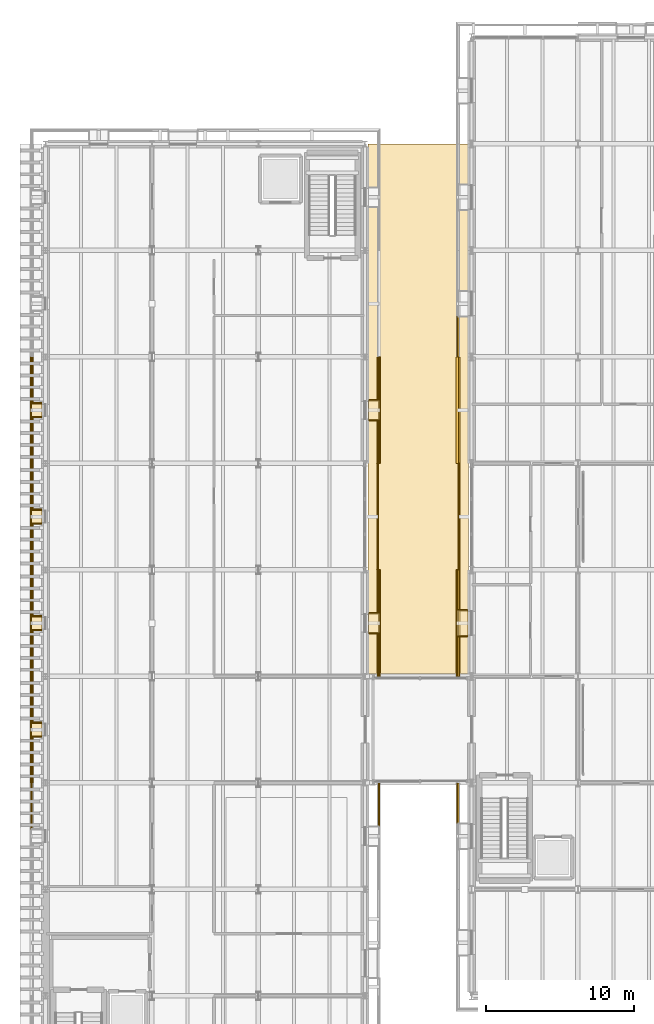
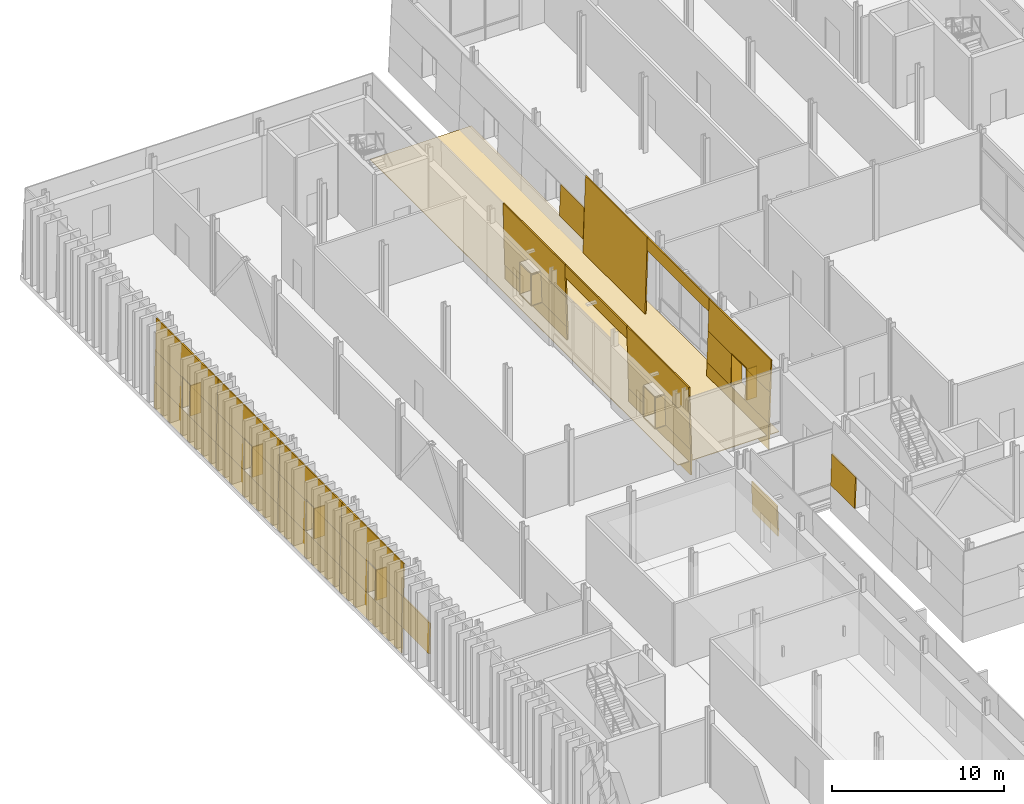
# One storey, part 107 of 120: 64 coverings.
"""IFC4 building model written with IfcOpenShell, lengths in metres."""

import ifcopenshell
import ifcopenshell.guid

model = None  # the IFC model being written
_history = None  # IfcOwnerHistory: only IFC2X3 demands one
_inside = {}  # id of a spatial element -> (the spatial element, [elements in it])
_under = {}  # id of a project, library or spatial element -> (it, [spatial elements below it])
_declared = {}  # id of a project -> (the project, [libraries it declares])
_typed = {}  # id of a type object -> (the type object, [elements of that type])
_made_of = {}  # id of a material, layer set ... -> (it, [elements and type objects made of it])


def new_model(schema):
    """Start an empty IFC model of exactly this schema.

    Asked for "IFC4X3", IfcOpenShell would pick the latest addendum, in which some entities
    have other attributes; the version numbers below select the first issue.
    IFC2X3 requires an IfcOwnerHistory on every rooted entity: one is made here for all.
    """
    global model, _history
    if schema == "IFC4X3":
        model = ifcopenshell.file(schema_version=(4, 3, 0, 0))
    else:
        model = ifcopenshell.file(schema=schema)
    _inside.clear()
    _under.clear()
    _declared.clear()
    _typed.clear()
    _made_of.clear()
    _history = None
    if model.schema == "IFC2X3":
        org = make("IfcOrganization", Name="unknown")
        user = make(
            "IfcPersonAndOrganization",
            ThePerson=make("IfcPerson", FamilyName="unknown"),
            TheOrganization=org,
        )
        app = make(
            "IfcApplication",
            ApplicationDeveloper=org,
            Version="unknown",
            ApplicationFullName="unknown",
            ApplicationIdentifier="unknown",
        )
        _history = make(
            "IfcOwnerHistory",
            OwningUser=user,
            OwningApplication=app,
            ChangeAction="ADDED",
            CreationDate=0,
        )
    return model


def make(cls, **values):
    """One entity of the class cls with the attributes given. An attribute that is None is left unset."""
    return model.create_entity(
        cls, **{name: value for name, value in values.items() if value is not None}
    )


def rooted(cls, **values):
    """An entity with a GlobalId (a new one), such as an element, a storey or a relation."""
    return make(cls, GlobalId=ifcopenshell.guid.new(), OwnerHistory=_history, **values)


def si_unit(unit_type, name, prefix=None):
    """IfcSIUnit, for example si_unit("LENGTHUNIT", "METRE", prefix="MILLI")."""
    return make("IfcSIUnit", UnitType=unit_type, Prefix=prefix, Name=name)


def assignment(units):
    """IfcUnitAssignment: the units of a project."""
    return None if units is None else make("IfcUnitAssignment", Units=units)


def point(xyz):
    """IfcCartesianPoint."""
    return None if xyz is None else make("IfcCartesianPoint", Coordinates=xyz)


def direction(xyz):
    """IfcDirection."""
    return None if xyz is None else make("IfcDirection", DirectionRatios=xyz)


def frame(location, z_axis=None, x_axis=None):
    """IfcAxis2Placement3D, a coordinate frame: its origin and axes. An axis left out is left unset."""
    return make(
        "IfcAxis2Placement3D",
        Location=point(location),
        Axis=direction(z_axis),
        RefDirection=direction(x_axis),
    )


def origin():
    """The frame at (0, 0, 0) with its axes left unset."""
    return frame((0.0, 0.0, 0.0))


def place(relative_to, where):
    """IfcLocalPlacement: puts the frame where relative to a parent placement (None: the world)."""
    return make(
        "IfcLocalPlacement", PlacementRelTo=relative_to, RelativePlacement=where
    )


def context(
    kind, dimensions, precision=None, world=None, true_north=None, identifier=None
):
    """IfcGeometricRepresentationContext, for example the 3D "Model" context."""
    return make(
        "IfcGeometricRepresentationContext",
        ContextIdentifier=identifier,
        ContextType=kind,
        CoordinateSpaceDimension=dimensions,
        Precision=precision,
        WorldCoordinateSystem=world,
        TrueNorth=true_north,
    )


def subcontext(parent, identifier, kind, view, scale=None):
    """IfcGeometricRepresentationSubContext, for example "Body" below "Model"."""
    return make(
        "IfcGeometricRepresentationSubContext",
        ContextIdentifier=identifier,
        ContextType=kind,
        ParentContext=parent,
        TargetScale=scale,
        TargetView=view,
    )


def project(units=None, contexts=None):
    """IfcProject with its units and contexts."""
    return rooted(
        "IfcProject",
        Name="project",
        RepresentationContexts=contexts,
        UnitsInContext=assignment(units),
    )


def spatial(cls, under=None, at=None, **own):
    """A site, building, storey or space (cls), placed at a placement, below another one or the project."""
    s = rooted(cls, ObjectPlacement=at, **own)
    if under is not None:
        _under.setdefault(under.id(), (under, []))[1].append(s)
    return s


def polyline(points):
    """IfcPolyline through the points."""
    return make("IfcPolyline", Points=[point(p) for p in points])


def outline(outer, holes=None, kind="AREA"):
    """IfcArbitraryClosedProfileDef: a profile drawn as a closed curve; with holes, ...WithVoids."""
    if holes is None:
        return make("IfcArbitraryClosedProfileDef", ProfileType=kind, OuterCurve=outer)
    return make(
        "IfcArbitraryProfileDefWithVoids",
        ProfileType=kind,
        OuterCurve=outer,
        InnerCurves=holes,
    )


def extrude(swept, where, along, depth):
    """IfcExtrudedAreaSolid: the profile swept, set in the frame where, extruded along a direction by depth."""
    return make(
        "IfcExtrudedAreaSolid",
        SweptArea=swept,
        Position=where,
        ExtrudedDirection=direction(along),
        Depth=depth,
    )


def shape(context_of_items, identifier, shape_type, items):
    """IfcShapeRepresentation: the items that make up one representation, for example the "Body"."""
    return make(
        "IfcShapeRepresentation",
        ContextOfItems=context_of_items,
        RepresentationIdentifier=identifier,
        RepresentationType=shape_type,
        Items=items,
    )


def material(Name=None, Category=None):
    """IfcMaterial."""
    return make("IfcMaterial", Name=Name, Category=Category)


def layer(
    of_material, thickness, ventilated=None, Name=None, Category=None, Priority=None
):
    """IfcMaterialLayer: one layer of a wall or slab, of a material (None: an air gap)."""
    return make(
        "IfcMaterialLayer",
        Material=of_material,
        LayerThickness=thickness,
        IsVentilated=ventilated,
        Name=Name,
        Category=Category,
        Priority=Priority,
    )


def layer_set(layers, Name=None):
    """IfcMaterialLayerSet."""
    return make("IfcMaterialLayerSet", MaterialLayers=layers, LayerSetName=Name)


def made_of(thing, what):
    """Note that an element or type object is made of a material, layer set ...; save() writes the relation."""
    if what is not None:
        _made_of.setdefault(what.id(), (what, []))[1].append(thing)
    return thing


def type_object(cls, material=None, **own):
    """A type object (cls), such as IfcWallType, which elements share."""
    return made_of(rooted(cls, **own), material)


def element(
    cls,
    number,
    at=None,
    inside=None,
    cuts=None,
    type_object=None,
    material=None,
    context=None,
    identifier="Body",
    shape_type=None,
    held_by="IfcProductDefinitionShape",
    body=None,
    shapes=None,
    **own,
):
    """One element of the class cls, such as IfcWall. Its Tag is "e" and its number.

    at: its placement. inside: the storey or other place that contains it. cuts: it is an
    opening in that element (IfcRelVoidsElement). A single representation is given by context,
    identifier, shape_type and body (its items); several are given by shapes. held_by: the class
    of the entity that holds the representations. save() writes the other relations.
    """
    e = rooted(cls, Tag="e%d" % number, ObjectPlacement=at, **own)
    if body is not None:
        shapes = [shape(context, identifier, shape_type, body)]
    if shapes is not None:
        e.Representation = make(held_by, Representations=shapes)
    if inside is not None:
        _inside.setdefault(inside.id(), (inside, []))[1].append(e)
    if cuts is not None:
        rooted(
            "IfcRelVoidsElement", RelatingBuildingElement=cuts, RelatedOpeningElement=e
        )
    if type_object is not None:
        _typed.setdefault(type_object.id(), (type_object, []))[1].append(e)
    return made_of(e, material)


def aggregate(whole, parts):
    """IfcRelAggregates: a whole, such as a stair, and the parts it consists of."""
    return rooted("IfcRelAggregates", RelatingObject=whole, RelatedObjects=parts)


def save(model, path):
    """Write the relations noted so far, then the file.

    IfcRelAggregates (storeys below a building ...), IfcRelContainedInSpatialStructure (elements
    in a storey), IfcRelDefinesByType, IfcRelAssociatesMaterial and IfcRelDeclares: one each for
    every whole, place, type object, material and project.
    """
    for whole, parts in _under.values():
        aggregate(whole, parts)
    for where, things in _inside.values():
        rooted(
            "IfcRelContainedInSpatialStructure",
            RelatedElements=things,
            RelatingStructure=where,
        )
    for kind, things in _typed.values():
        rooted("IfcRelDefinesByType", RelatedObjects=things, RelatingType=kind)
    for what, things in _made_of.values():
        rooted("IfcRelAssociatesMaterial", RelatedObjects=things, RelatingMaterial=what)
    for by, libraries in _declared.values():
        rooted("IfcRelDeclares", RelatingContext=by, RelatedDefinitions=libraries)
    model.write(path)


model = new_model("IFC4")

# Units and contexts
model_context = context("Model", 3, precision=1e-05, world=origin(), true_north=direction((0.0, 1.0)))
body_context = subcontext(model_context, "Body", "Model", "MODEL_VIEW")
ifc_project = project(units=[si_unit("LENGTHUNIT", "METRE"), si_unit("AREAUNIT", "SQUARE_METRE"), si_unit("VOLUMEUNIT", "CUBIC_METRE"), si_unit("PLANEANGLEUNIT", "RADIAN"), si_unit("MASSUNIT", "GRAM", prefix="KILO")], contexts=[model_context])

# Site, building, storey
site_placement = place(None, origin())
site = spatial("IfcSite", under=ifc_project, at=site_placement, CompositionType="ELEMENT")
building_placement = place(site_placement, origin())
building = spatial("IfcBuilding", under=site, at=building_placement, Name="Narikvali Park Central Library", CompositionType="ELEMENT")
storey_placement = place(building_placement, origin())
storey = spatial("IfcBuildingStorey", under=building, at=storey_placement, Name="L00", CompositionType="ELEMENT", Elevation=0.0)

# Coverings
ifc_material_1 = material(Name="White Honed Limestone Cladding", Category="masonry")
ifc_layer_1 = layer(ifc_material_1, 0.0849609375, Name="White Honed Limestone Cladding")
ifc_layer_set_1 = layer_set([ifc_layer_1], Name="White Honed Limestone Cladding")
covering_type_1 = type_object("IfcCoveringType", Name="Battered White Limestone Facade Cladding Panel", PredefinedType="CLADDING", material=ifc_layer_set_1)
covering_1_placement = place(storey_placement, frame((27.7919921875, 96.360107421875, 0.949951171875), z_axis=(-0.999431408105, 0.0, 0.033717361898), x_axis=(0.0, -1.0, 0.0)))
element("IfcCovering", 1, at=covering_1_placement, inside=storey, type_object=covering_type_1, Name="V4 L00 W Battered Limestone Jamb Pier R B03", PredefinedType="CLADDING", context=body_context, shape_type="SweptSolid", body=[
    extrude(outline(polyline([(0.0, 0.0), (2.760009765625, 0.0), (2.760009765625, 2.2012027579225295), (0.0, 2.2012027579225295), (0.0, 0.0)])), origin(), (0.0, 0.0, -1.0), 0.0849609375),
])
covering_2_placement = place(storey_placement, frame((27.760009765625, 93.60009765625, -0.8798828125), z_axis=(-0.999580820588, 0.0, 0.028951392245), x_axis=(0.0, -1.0, 0.0)))
element("IfcCovering", 2, at=covering_2_placement, inside=storey, type_object=covering_type_1, Name="V4 L00 W Battered Limestone Panel B04", PredefinedType="CLADDING", context=body_context, shape_type="SweptSolid", body=[
    extrude(outline(polyline([(0.0, 0.0), (7.2001953125, 0.0), (7.2001953125, 6.282418616792763), (0.0, 6.282418616792763), (0.0, 0.0)])), origin(), (0.0, 0.0, -1.0), 0.0849609375),
])
covering_3_placement = place(storey_placement, frame((27.91162109375, 86.39990234375, 4.5), z_axis=(-0.999434628015, 0.0, 0.033621783471), x_axis=(0.0, -1.0, 0.0)))
element("IfcCovering", 3, at=covering_3_placement, inside=storey, type_object=covering_type_1, Name="V4 L00 W Battered Limestone Spandrel Header B05", PredefinedType="CLADDING", context=body_context, shape_type="SweptSolid", body=[
    extrude(outline(polyline([(0.0, 0.0), (7.199951171875, 0.0), (7.199951171875, 0.9004114111364925), (0.0, 0.9004114111364925), (0.0, 0.0)])), origin(), (0.0, 0.0, -1.0), 0.0849609375),
])
covering_4_placement = place(storey_placement, frame((27.760009765625, 79.199951171875, -0.8798828125), z_axis=(-0.999847289173, 0.0, 0.017475649751), x_axis=(0.0, -1.0, 0.0)))
element("IfcCovering", 4, at=covering_4_placement, inside=storey, type_object=covering_type_1, Name="V4 L00 W Battered Limestone Spandrel B06", PredefinedType="CLADDING", context=body_context, shape_type="SweptSolid", body=[
    extrude(outline(polyline([(0.0, 0.0), (7.199951171875, 0.0), (7.199951171875, 1.8301134625161029), (0.0, 1.8301134625161029), (0.0, 0.0)])), origin(), (0.0, 0.0, -1.0), 0.0849609375),
])
covering_5_placement = place(storey_placement, frame((27.8662109375, 79.199951171875, 3.14990234375), z_axis=(-0.999434750598, 0.0, 0.033618139397), x_axis=(0.0, -1.0, 0.0)))
element("IfcCovering", 5, at=covering_5_placement, inside=storey, type_object=covering_type_1, Name="V4 L00 W Battered Limestone Lintel B06", PredefinedType="CLADDING", context=body_context, shape_type="SweptSolid", body=[
    extrude(outline(polyline([(0.0, 0.0), (7.199951171875, 0.0), (7.199951171875, 2.251272530450926), (0.0, 2.251272530450926), (0.0, 0.0)])), origin(), (0.0, 0.0, -1.0), 0.0849609375),
])
for number, where, z_axis, x_axis, name in (
    (6, (27.7919921875, 79.199951171875, 0.949951171875), (-0.999431408105, 0.0, 0.033717361898), (0.0, -1.0, 0.0), "V4 L00 W Battered Limestone Jamb Pier L B06"),
    (7, (27.7919921875, 74.760009765625, 0.949951171875), (-0.999431408105, 0.0, 0.033717361898), (0.0, -1.0, 0.0), "V4 L00 W Battered Limestone Jamb Pier R B06"),
    (8, (27.7919921875, 64.800048828125, 0.949951171875), (-0.999431408105, 0.0, 0.033717361898), (0.0, -1.0, 0.0), "V4 L00 W Battered Limestone Jamb Pier L B08"),
):
    element("IfcCovering", number, at=place(storey_placement, frame(where, z_axis=z_axis, x_axis=x_axis)), inside=storey, type_object=covering_type_1, Name=name, PredefinedType="CLADDING", context=body_context, shape_type="SweptSolid", body=[
        extrude(outline(polyline([(0.0, 0.0), (2.760009765625, 0.0), (2.760009765625, 2.2012027579225295), (0.0, 2.2012027579225295), (0.0, 0.0)])), origin(), (0.0, 0.0, -1.0), 0.0849609375),
    ])
covering_6_placement = place(storey_placement, frame((22.613037109375, 61.840087890625, 0.949951171875), z_axis=(0.99959734633, 0.0, 0.028375080797), x_axis=(0.0, 1.0, 0.0)))
element("IfcCovering", 9, at=covering_6_placement, inside=storey, type_object=covering_type_1, Name="V5 L00 E Battered Limestone Jamb Pier R B05", PredefinedType="CLADDING", context=body_context, shape_type="SweptSolid", body=[
    extrude(outline(polyline([(0.0, 0.0), (2.9599609375, 0.0), (2.9599609375, 2.1510125974918495), (0.0, 2.1510125974918495), (0.0, 0.0)])), origin(), (0.0, 0.0, -1.0), 0.0849609375),
])
covering_7_placement = place(storey_placement, frame((22.639892578125, 72.0, -0.8798828125), z_axis=(0.999892318289, 0.0, 0.014674870582), x_axis=(0.0, 1.0, 0.0)))
element("IfcCovering", 10, at=covering_7_placement, inside=storey, type_object=covering_type_1, Name="V5 L00 E Battered Limestone Spandrel B07", PredefinedType="CLADDING", context=body_context, shape_type="SweptSolid", body=[
    extrude(outline(polyline([(0.0, 0.0), (7.199951171875, 0.0), (7.199951171875, 1.830031045249088), (0.0, 1.830031045249088), (0.0, 0.0)])), origin(), (0.0, 0.0, -1.0), 0.0849609375),
])
covering_8_placement = place(storey_placement, frame((22.552001953125, 72.0, 3.10009765625), z_axis=(0.999598552146, 0.0, 0.028332570427), x_axis=(0.0, 1.0, 0.0)))
element("IfcCovering", 11, at=covering_8_placement, inside=storey, type_object=covering_type_1, Name="V5 L00 E Battered Limestone Lintel B07", PredefinedType="CLADDING", context=body_context, shape_type="SweptSolid", body=[
    extrude(outline(polyline([(0.0, 0.0), (7.199951171875, 0.0), (7.199951171875, 2.3007283099419555), (0.0, 2.3007283099419555), (0.0, 0.0)])), origin(), (0.0, 0.0, -1.0), 0.0849609375),
])
for number, where, z_axis, x_axis, name in (
    (12, (22.613037109375, 72.0, 0.949951171875), (0.99959734633, 0.0, 0.028375080797), (0.0, 1.0, 0.0), "V5 L00 E Battered Limestone Jamb Pier L B07"),
    (13, (22.613037109375, 76.239990234375, 0.949951171875), (0.99959734633, 0.0, 0.028375080797), (0.0, 1.0, 0.0), "V5 L00 E Battered Limestone Jamb Pier R B07"),
):
    element("IfcCovering", number, at=place(storey_placement, frame(where, z_axis=z_axis, x_axis=x_axis)), inside=storey, type_object=covering_type_1, Name=name, PredefinedType="CLADDING", context=body_context, shape_type="SweptSolid", body=[
        extrude(outline(polyline([(0.0, 0.0), (2.9599609375, 0.0), (2.9599609375, 2.1510125974918495), (0.0, 2.1510125974918495), (0.0, 0.0)])), origin(), (0.0, 0.0, -1.0), 0.0849609375),
    ])
covering_9_placement = place(storey_placement, frame((22.512939453125, 79.199951171875, 4.47998046875), z_axis=(0.999597048098, 0.0, 0.028385584965), x_axis=(0.0, 1.0, 0.0)))
element("IfcCovering", 14, at=covering_9_placement, inside=storey, type_object=covering_type_1, Name="V5 L00 E Battered Limestone Spandrel Header B08", PredefinedType="CLADDING", context=body_context, shape_type="SweptSolid", body=[
    extrude(outline(polyline([(0.0, 0.0), (7.199951171875, 0.0), (7.199951171875, 0.9202927086973738), (0.0, 0.9202927086973738), (0.0, 0.0)])), origin(), (0.0, 0.0, -1.0), 0.0849609375),
])
covering_10_placement = place(storey_placement, frame((22.639892578125, 86.39990234375, -0.8798828125), z_axis=(0.999892318289, 0.0, 0.014674870582), x_axis=(0.0, 1.0, 0.0)))
element("IfcCovering", 15, at=covering_10_placement, inside=storey, type_object=covering_type_1, Name="V5 L00 E Battered Limestone Spandrel B09", PredefinedType="CLADDING", context=body_context, shape_type="SweptSolid", body=[
    extrude(outline(polyline([(0.0, 0.0), (7.2001953125, 0.0), (7.2001953125, 1.830031045249088), (0.0, 1.830031045249088), (0.0, 0.0)])), origin(), (0.0, 0.0, -1.0), 0.0849609375),
])
covering_11_placement = place(storey_placement, frame((22.552001953125, 86.39990234375, 3.10009765625), z_axis=(0.999598552146, 0.0, 0.028332570427), x_axis=(0.0, 1.0, 0.0)))
element("IfcCovering", 16, at=covering_11_placement, inside=storey, type_object=covering_type_1, Name="V5 L00 E Battered Limestone Lintel B09", PredefinedType="CLADDING", context=body_context, shape_type="SweptSolid", body=[
    extrude(outline(polyline([(0.0, 0.0), (7.2001953125, 0.0), (7.2001953125, 2.3007283099419555), (0.0, 2.3007283099419555), (0.0, 0.0)])), origin(), (0.0, 0.0, -1.0), 0.0849609375),
])
for number, where, z_axis, x_axis, name in (
    (17, (22.613037109375, 86.39990234375, 0.949951171875), (0.99959734633, 0.0, 0.028375080797), (0.0, 1.0, 0.0), "V5 L00 E Battered Limestone Jamb Pier L B09"),
    (18, (22.613037109375, 90.639892578125, 0.949951171875), (0.99959734633, 0.0, 0.028375080797), (0.0, 1.0, 0.0), "V5 L00 E Battered Limestone Jamb Pier R B09"),
):
    element("IfcCovering", number, at=place(storey_placement, frame(where, z_axis=z_axis, x_axis=x_axis)), inside=storey, type_object=covering_type_1, Name=name, PredefinedType="CLADDING", context=body_context, shape_type="SweptSolid", body=[
        extrude(outline(polyline([(0.0, 0.0), (2.960205078125, 0.0), (2.960205078125, 2.1510125974918495), (0.0, 2.1510125974918495), (0.0, 0.0)])), origin(), (0.0, 0.0, -1.0), 0.0849609375),
    ])
covering_12_placement = place(storey_placement, frame((-1.0400390625, 93.60009765625, -0.8798828125), z_axis=(-0.999890351864, 0.0, 0.014808249374), x_axis=(0.0, -1.0, 0.0)))
element("IfcCovering", 19, at=covering_12_placement, inside=storey, type_object=covering_type_1, Name="V5 L00 W Battered Limestone Spandrel B03", PredefinedType="CLADDING", context=body_context, shape_type="SweptSolid", body=[
    extrude(outline(polyline([(0.0, 0.0), (7.2001953125, 0.0), (7.2001953125, 1.8300346442627704), (0.0, 1.8300346442627704), (0.0, 0.0)])), origin(), (0.0, 0.0, -1.0), 0.0849609375),
])
covering_13_placement = place(storey_placement, frame((-0.9521484375, 93.60009765625, 3.10009765625), z_axis=(-0.999595541243, 0.0, 0.028438599263), x_axis=(0.0, -1.0, 0.0)))
element("IfcCovering", 20, at=covering_13_placement, inside=storey, type_object=covering_type_1, Name="V5 L00 W Battered Limestone Lintel B03", PredefinedType="CLADDING", context=body_context, shape_type="SweptSolid", body=[
    extrude(outline(polyline([(0.0, 0.0), (7.2001953125, 0.0), (7.2001953125, 2.3007352400164), (0.0, 2.3007352400164), (0.0, 0.0)])), origin(), (0.0, 0.0, -1.0), 0.0849609375),
])
for number, where, z_axis, x_axis, name in (
    (21, (-1.012939453125, 93.60009765625, 0.949951171875), (-0.999600559191, 0.0, 0.028261671311), (0.0, -1.0, 0.0), "V5 L00 W Battered Limestone Jamb Pier L B03"),
    (22, (-1.012939453125, 89.56005859375, 0.949951171875), (-0.999600559191, 0.0, 0.028261671311), (0.0, -1.0, 0.0), "V5 L00 W Battered Limestone Jamb Pier R B03"),
):
    element("IfcCovering", number, at=place(storey_placement, frame(where, z_axis=z_axis, x_axis=x_axis)), inside=storey, type_object=covering_type_1, Name=name, PredefinedType="CLADDING", context=body_context, shape_type="SweptSolid", body=[
        extrude(outline(polyline([(0.0, 0.0), (3.16015625, 0.0), (3.16015625, 2.1510056838257987), (0.0, 2.1510056838257987), (0.0, 0.0)])), origin(), (0.0, 0.0, -1.0), 0.0849609375),
    ])
covering_14_placement = place(storey_placement, frame((-1.0400390625, 86.39990234375, -0.8798828125), z_axis=(-0.999890351864, 0.0, 0.014808249374), x_axis=(0.0, -1.0, 0.0)))
element("IfcCovering", 23, at=covering_14_placement, inside=storey, type_object=covering_type_1, Name="V5 L00 W Battered Limestone Spandrel B04", PredefinedType="CLADDING", context=body_context, shape_type="SweptSolid", body=[
    extrude(outline(polyline([(0.0, 0.0), (7.199951171875, 0.0), (7.199951171875, 1.8300346442627704), (0.0, 1.8300346442627704), (0.0, 0.0)])), origin(), (0.0, 0.0, -1.0), 0.0849609375),
])
covering_15_placement = place(storey_placement, frame((-0.9521484375, 86.39990234375, 3.10009765625), z_axis=(-0.999595541243, 0.0, 0.028438599263), x_axis=(0.0, -1.0, 0.0)))
element("IfcCovering", 24, at=covering_15_placement, inside=storey, type_object=covering_type_1, Name="V5 L00 W Battered Limestone Lintel B04", PredefinedType="CLADDING", context=body_context, shape_type="SweptSolid", body=[
    extrude(outline(polyline([(0.0, 0.0), (7.199951171875, 0.0), (7.199951171875, 2.3007352400164), (0.0, 2.3007352400164), (0.0, 0.0)])), origin(), (0.0, 0.0, -1.0), 0.0849609375),
])
covering_16_placement = place(storey_placement, frame((-1.012939453125, 86.39990234375, 0.949951171875), z_axis=(-0.999600559191, 0.0, 0.028261671311), x_axis=(0.0, -1.0, 0.0)))
element("IfcCovering", 25, at=covering_16_placement, inside=storey, type_object=covering_type_1, Name="V5 L00 W Battered Limestone Jamb Pier L B04", PredefinedType="CLADDING", context=body_context, shape_type="SweptSolid", body=[
    extrude(outline(polyline([(0.0, 0.0), (3.159912109375, 0.0), (3.159912109375, 2.1510056838257987), (0.0, 2.1510056838257987), (0.0, 0.0)])), origin(), (0.0, 0.0, -1.0), 0.0849609375),
])
covering_17_placement = place(storey_placement, frame((-1.012939453125, 82.360107421875, 0.949951171875), z_axis=(-0.999600559191, 0.0, 0.028261671311), x_axis=(0.0, -1.0, 0.0)))
element("IfcCovering", 26, at=covering_17_placement, inside=storey, type_object=covering_type_1, Name="V5 L00 W Battered Limestone Jamb Pier R B04", PredefinedType="CLADDING", context=body_context, shape_type="SweptSolid", body=[
    extrude(outline(polyline([(0.0, 0.0), (3.16015625, 0.0), (3.16015625, 2.1510056838257987), (0.0, 2.1510056838257987), (0.0, 0.0)])), origin(), (0.0, 0.0, -1.0), 0.0849609375),
])
covering_18_placement = place(storey_placement, frame((-1.0400390625, 79.199951171875, -0.8798828125), z_axis=(-0.999890351864, 0.0, 0.014808249374), x_axis=(0.0, -1.0, 0.0)))
element("IfcCovering", 27, at=covering_18_placement, inside=storey, type_object=covering_type_1, Name="V5 L00 W Battered Limestone Spandrel B05", PredefinedType="CLADDING", context=body_context, shape_type="SweptSolid", body=[
    extrude(outline(polyline([(0.0, 0.0), (7.199951171875, 0.0), (7.199951171875, 1.8300346442627704), (0.0, 1.8300346442627704), (0.0, 0.0)])), origin(), (0.0, 0.0, -1.0), 0.0849609375),
])
covering_19_placement = place(storey_placement, frame((-0.9521484375, 79.199951171875, 3.10009765625), z_axis=(-0.999595541243, 0.0, 0.028438599263), x_axis=(0.0, -1.0, 0.0)))
element("IfcCovering", 28, at=covering_19_placement, inside=storey, type_object=covering_type_1, Name="V5 L00 W Battered Limestone Lintel B05", PredefinedType="CLADDING", context=body_context, shape_type="SweptSolid", body=[
    extrude(outline(polyline([(0.0, 0.0), (7.199951171875, 0.0), (7.199951171875, 2.3007352400164), (0.0, 2.3007352400164), (0.0, 0.0)])), origin(), (0.0, 0.0, -1.0), 0.0849609375),
])
for number, where, z_axis, x_axis, name in (
    (29, (-1.012939453125, 79.199951171875, 0.949951171875), (-0.999600559191, 0.0, 0.028261671311), (0.0, -1.0, 0.0), "V5 L00 W Battered Limestone Jamb Pier L B05"),
    (30, (-1.012939453125, 75.159912109375, 0.949951171875), (-0.999600559191, 0.0, 0.028261671311), (0.0, -1.0, 0.0), "V5 L00 W Battered Limestone Jamb Pier R B05"),
):
    element("IfcCovering", number, at=place(storey_placement, frame(where, z_axis=z_axis, x_axis=x_axis)), inside=storey, type_object=covering_type_1, Name=name, PredefinedType="CLADDING", context=body_context, shape_type="SweptSolid", body=[
        extrude(outline(polyline([(0.0, 0.0), (3.159912109375, 0.0), (3.159912109375, 2.1510056838257987), (0.0, 2.1510056838257987), (0.0, 0.0)])), origin(), (0.0, 0.0, -1.0), 0.0849609375),
    ])
covering_20_placement = place(storey_placement, frame((-1.0400390625, 72.0, -0.8798828125), z_axis=(-0.999890351864, 0.0, 0.014808249374), x_axis=(0.0, -1.0, 0.0)))
element("IfcCovering", 31, at=covering_20_placement, inside=storey, type_object=covering_type_1, Name="V5 L00 W Battered Limestone Spandrel B06", PredefinedType="CLADDING", context=body_context, shape_type="SweptSolid", body=[
    extrude(outline(polyline([(0.0, 0.0), (7.199951171875, 0.0), (7.199951171875, 1.8300346442627704), (0.0, 1.8300346442627704), (0.0, 0.0)])), origin(), (0.0, 0.0, -1.0), 0.0849609375),
])
covering_21_placement = place(storey_placement, frame((-0.9521484375, 72.0, 3.10009765625), z_axis=(-0.999595541243, 0.0, 0.028438599263), x_axis=(0.0, -1.0, 0.0)))
element("IfcCovering", 32, at=covering_21_placement, inside=storey, type_object=covering_type_1, Name="V5 L00 W Battered Limestone Lintel B06", PredefinedType="CLADDING", context=body_context, shape_type="SweptSolid", body=[
    extrude(outline(polyline([(0.0, 0.0), (7.199951171875, 0.0), (7.199951171875, 2.3007352400164), (0.0, 2.3007352400164), (0.0, 0.0)])), origin(), (0.0, 0.0, -1.0), 0.0849609375),
])
for number, where, z_axis, x_axis, name in (
    (33, (-1.012939453125, 72.0, 0.949951171875), (-0.999600559191, 0.0, 0.028261671311), (0.0, -1.0, 0.0), "V5 L00 W Battered Limestone Jamb Pier L B06"),
    (34, (-1.012939453125, 67.9599609375, 0.949951171875), (-0.999600559191, 0.0, 0.028261671311), (0.0, -1.0, 0.0), "V5 L00 W Battered Limestone Jamb Pier R B06"),
):
    element("IfcCovering", number, at=place(storey_placement, frame(where, z_axis=z_axis, x_axis=x_axis)), inside=storey, type_object=covering_type_1, Name=name, PredefinedType="CLADDING", context=body_context, shape_type="SweptSolid", body=[
        extrude(outline(polyline([(0.0, 0.0), (3.159912109375, 0.0), (3.159912109375, 2.1510056838257987), (0.0, 2.1510056838257987), (0.0, 0.0)])), origin(), (0.0, 0.0, -1.0), 0.0849609375),
    ])
covering_22_placement = place(storey_placement, frame((-1.012939453125, 64.800048828125, 0.949951171875), z_axis=(-0.999600559191, 0.0, 0.028261671311), x_axis=(0.0, -1.0, 0.0)))
element("IfcCovering", 35, at=covering_22_placement, inside=storey, type_object=covering_type_1, Name="V5 L00 W Battered Limestone Jamb Pier L B07", PredefinedType="CLADDING", context=body_context, shape_type="SweptSolid", body=[
    extrude(outline(polyline([(0.0, 0.0), (3.16015625, 0.0), (3.16015625, 2.1510056838257987), (0.0, 2.1510056838257987), (0.0, 0.0)])), origin(), (0.0, 0.0, -1.0), 0.0849609375),
])
ifc_layer_2 = layer(ifc_material_1, 0.080078125, Name="White Honed Limestone Cladding")
ifc_layer_set_2 = layer_set([ifc_layer_2], Name="White Honed Limestone Cladding")
covering_type_2 = type_object("IfcCoveringType", Name="Deep Carved White Limestone Window Reveal", PredefinedType="CLADDING", material=ifc_layer_set_2)
covering_23_placement = place(storey_placement, frame((0.0, 0.0, 3.14990234375)))
element("IfcCovering", 36, at=covering_23_placement, inside=storey, type_object=covering_type_2, Name="Deep Stone Reveal Head V4-RVL-L00-W-B06", PredefinedType="CLADDING", context=body_context, shape_type="SweptSolid", body=[
    extrude(outline(polyline([(28.554931640625, 76.47998046875), (28.554931640625, 74.719970703125), (27.8662109375, 74.719970703125), (27.8662109375, 76.47998046875), (28.554931640625, 76.47998046875)])), origin(), (0.0, 0.0, 1.0), 0.080078125),
])
covering_24_placement = place(storey_placement, frame((0.0, 0.0, 0.8701171875)))
element("IfcCovering", 37, at=covering_24_placement, inside=storey, type_object=covering_type_2, Name="Deep Stone Reveal Sill V4-RVL-L00-W-B06", PredefinedType="CLADDING", context=body_context, shape_type="SweptSolid", body=[
    extrude(outline(polyline([(28.554931640625, 76.47998046875), (28.554931640625, 74.719970703125), (27.7919921875, 74.719970703125), (27.7919921875, 76.47998046875), (28.554931640625, 76.47998046875)])), origin(), (0.0, 0.0, 1.0), 0.079833984375),
])
covering_25_placement = place(storey_placement, frame((0.0, 0.0, 0.949951171875)))
element("IfcCovering", 38, at=covering_25_placement, inside=storey, type_object=covering_type_2, Name="Deep Stone Reveal Jamb L V4-RVL-L00-W-B06", PredefinedType="CLADDING", context=body_context, shape_type="SweptSolid", body=[
    extrude(outline(polyline([(28.554931640625, 76.52001953125), (28.554931640625, 76.43994140625), (27.8662109375, 76.43994140625), (27.8662109375, 76.52001953125), (28.554931640625, 76.52001953125)])), origin(), (0.0, 0.0, 1.0), 2.199951171875),
])
covering_26_placement = place(storey_placement, frame((0.0, 0.0, 0.949951171875)))
element("IfcCovering", 39, at=covering_26_placement, inside=storey, type_object=covering_type_2, Name="Deep Stone Reveal Jamb R V4-RVL-L00-W-B06", PredefinedType="CLADDING", context=body_context, shape_type="SweptSolid", body=[
    extrude(outline(polyline([(28.554931640625, 74.760009765625), (28.554931640625, 74.679931640625), (27.8662109375, 74.679931640625), (27.8662109375, 74.760009765625), (28.554931640625, 74.760009765625)])), origin(), (0.0, 0.0, 1.0), 2.199951171875),
])
covering_27_placement = place(storey_placement, frame((0.0, 0.0, 3.10009765625)))
element("IfcCovering", 40, at=covering_27_placement, inside=storey, type_object=covering_type_2, Name="Deep Stone Reveal Head V5-RVL-L00-E-B07", PredefinedType="CLADDING", context=body_context, shape_type="SweptSolid", body=[
    extrude(outline(polyline([(21.844970703125, 74.919921875), (21.844970703125, 76.280029296875), (22.552001953125, 76.280029296875), (22.552001953125, 74.919921875), (21.844970703125, 74.919921875)])), origin(), (0.0, 0.0, 1.0), 0.079833984375),
])
covering_28_placement = place(storey_placement, frame((0.0, 0.0, 0.8701171875)))
element("IfcCovering", 41, at=covering_28_placement, inside=storey, type_object=covering_type_2, Name="Deep Stone Reveal Sill V5-RVL-L00-E-B07", PredefinedType="CLADDING", context=body_context, shape_type="SweptSolid", body=[
    extrude(outline(polyline([(21.844970703125, 74.919921875), (21.844970703125, 76.280029296875), (22.613037109375, 76.280029296875), (22.613037109375, 74.919921875), (21.844970703125, 74.919921875)])), origin(), (0.0, 0.0, 1.0), 0.079833984375),
])
covering_29_placement = place(storey_placement, frame((0.0, 0.0, 0.949951171875)))
element("IfcCovering", 42, at=covering_29_placement, inside=storey, type_object=covering_type_2, Name="Deep Stone Reveal Jamb L V5-RVL-L00-E-B07", PredefinedType="CLADDING", context=body_context, shape_type="SweptSolid", body=[
    extrude(outline(polyline([(21.844970703125, 74.8798828125), (21.844970703125, 74.9599609375), (22.552001953125, 74.9599609375), (22.552001953125, 74.8798828125), (21.844970703125, 74.8798828125)])), origin(), (0.0, 0.0, 1.0), 2.150146484375),
])
covering_30_placement = place(storey_placement, frame((0.0, 0.0, 0.949951171875)))
element("IfcCovering", 43, at=covering_30_placement, inside=storey, type_object=covering_type_2, Name="Deep Stone Reveal Jamb R V5-RVL-L00-E-B07", PredefinedType="CLADDING", context=body_context, shape_type="SweptSolid", body=[
    extrude(outline(polyline([(21.844970703125, 76.239990234375), (21.844970703125, 76.320068359375), (22.552001953125, 76.320068359375), (22.552001953125, 76.239990234375), (21.844970703125, 76.239990234375)])), origin(), (0.0, 0.0, 1.0), 2.150146484375),
])
covering_31_placement = place(storey_placement, frame((0.0, 0.0, 3.10009765625)))
element("IfcCovering", 44, at=covering_31_placement, inside=storey, type_object=covering_type_2, Name="Deep Stone Reveal Head V5-RVL-L00-E-B09", PredefinedType="CLADDING", context=body_context, shape_type="SweptSolid", body=[
    extrude(outline(polyline([(21.844970703125, 89.320068359375), (21.844970703125, 90.679931640625), (22.552001953125, 90.679931640625), (22.552001953125, 89.320068359375), (21.844970703125, 89.320068359375)])), origin(), (0.0, 0.0, 1.0), 0.079833984375),
])
covering_32_placement = place(storey_placement, frame((0.0, 0.0, 0.8701171875)))
element("IfcCovering", 45, at=covering_32_placement, inside=storey, type_object=covering_type_2, Name="Deep Stone Reveal Sill V5-RVL-L00-E-B09", PredefinedType="CLADDING", context=body_context, shape_type="SweptSolid", body=[
    extrude(outline(polyline([(21.844970703125, 89.320068359375), (21.844970703125, 90.679931640625), (22.613037109375, 90.679931640625), (22.613037109375, 89.320068359375), (21.844970703125, 89.320068359375)])), origin(), (0.0, 0.0, 1.0), 0.079833984375),
])
covering_33_placement = place(storey_placement, frame((0.0, 0.0, 0.949951171875)))
element("IfcCovering", 46, at=covering_33_placement, inside=storey, type_object=covering_type_2, Name="Deep Stone Reveal Jamb L V5-RVL-L00-E-B09", PredefinedType="CLADDING", context=body_context, shape_type="SweptSolid", body=[
    extrude(outline(polyline([(21.844970703125, 89.280029296875), (21.844970703125, 89.360107421875), (22.552001953125, 89.360107421875), (22.552001953125, 89.280029296875), (21.844970703125, 89.280029296875)])), origin(), (0.0, 0.0, 1.0), 2.150146484375),
])
covering_34_placement = place(storey_placement, frame((0.0, 0.0, 0.949951171875)))
element("IfcCovering", 47, at=covering_34_placement, inside=storey, type_object=covering_type_2, Name="Deep Stone Reveal Jamb R V5-RVL-L00-E-B09", PredefinedType="CLADDING", context=body_context, shape_type="SweptSolid", body=[
    extrude(outline(polyline([(21.844970703125, 90.639892578125), (21.844970703125, 90.719970703125), (22.552001953125, 90.719970703125), (22.552001953125, 90.639892578125), (21.844970703125, 90.639892578125)])), origin(), (0.0, 0.0, 1.0), 2.150146484375),
])
covering_35_placement = place(storey_placement, frame((0.0, 0.0, 3.10009765625)))
element("IfcCovering", 48, at=covering_35_placement, inside=storey, type_object=covering_type_2, Name="Deep Stone Reveal Head V5-RVL-L00-W-B03", PredefinedType="CLADDING", context=body_context, shape_type="SweptSolid", body=[
    extrude(outline(polyline([(-0.2451171875, 90.47998046875), (-0.2451171875, 89.52001953125), (-0.9521484375, 89.52001953125), (-0.9521484375, 90.47998046875), (-0.2451171875, 90.47998046875)])), origin(), (0.0, 0.0, 1.0), 0.079833984375),
])
covering_36_placement = place(storey_placement, frame((0.0, 0.0, 0.8701171875)))
element("IfcCovering", 49, at=covering_36_placement, inside=storey, type_object=covering_type_2, Name="Deep Stone Reveal Sill V5-RVL-L00-W-B03", PredefinedType="CLADDING", context=body_context, shape_type="SweptSolid", body=[
    extrude(outline(polyline([(-0.2451171875, 90.47998046875), (-0.2451171875, 89.52001953125), (-1.012939453125, 89.52001953125), (-1.012939453125, 90.47998046875), (-0.2451171875, 90.47998046875)])), origin(), (0.0, 0.0, 1.0), 0.079833984375),
])
covering_37_placement = place(storey_placement, frame((0.0, 0.0, 0.949951171875)))
element("IfcCovering", 50, at=covering_37_placement, inside=storey, type_object=covering_type_2, Name="Deep Stone Reveal Jamb L V5-RVL-L00-W-B03", PredefinedType="CLADDING", context=body_context, shape_type="SweptSolid", body=[
    extrude(outline(polyline([(-0.2451171875, 90.52001953125), (-0.2451171875, 90.43994140625), (-0.9521484375, 90.43994140625), (-0.9521484375, 90.52001953125), (-0.2451171875, 90.52001953125)])), origin(), (0.0, 0.0, 1.0), 2.150146484375),
])
covering_38_placement = place(storey_placement, frame((0.0, 0.0, 0.949951171875)))
element("IfcCovering", 51, at=covering_38_placement, inside=storey, type_object=covering_type_2, Name="Deep Stone Reveal Jamb R V5-RVL-L00-W-B03", PredefinedType="CLADDING", context=body_context, shape_type="SweptSolid", body=[
    extrude(outline(polyline([(-0.2451171875, 89.56005859375), (-0.2451171875, 89.47998046875), (-0.9521484375, 89.47998046875), (-0.9521484375, 89.56005859375), (-0.2451171875, 89.56005859375)])), origin(), (0.0, 0.0, 1.0), 2.150146484375),
])
covering_39_placement = place(storey_placement, frame((0.0, 0.0, 3.10009765625)))
element("IfcCovering", 52, at=covering_39_placement, inside=storey, type_object=covering_type_2, Name="Deep Stone Reveal Head V5-RVL-L00-W-B04", PredefinedType="CLADDING", context=body_context, shape_type="SweptSolid", body=[
    extrude(outline(polyline([(-0.2451171875, 83.280029296875), (-0.2451171875, 82.320068359375), (-0.9521484375, 82.320068359375), (-0.9521484375, 83.280029296875), (-0.2451171875, 83.280029296875)])), origin(), (0.0, 0.0, 1.0), 0.079833984375),
])
covering_40_placement = place(storey_placement, frame((0.0, 0.0, 0.8701171875)))
element("IfcCovering", 53, at=covering_40_placement, inside=storey, type_object=covering_type_2, Name="Deep Stone Reveal Sill V5-RVL-L00-W-B04", PredefinedType="CLADDING", context=body_context, shape_type="SweptSolid", body=[
    extrude(outline(polyline([(-0.2451171875, 83.280029296875), (-0.2451171875, 82.320068359375), (-1.012939453125, 82.320068359375), (-1.012939453125, 83.280029296875), (-0.2451171875, 83.280029296875)])), origin(), (0.0, 0.0, 1.0), 0.079833984375),
])
covering_41_placement = place(storey_placement, frame((0.0, 0.0, 0.949951171875)))
element("IfcCovering", 54, at=covering_41_placement, inside=storey, type_object=covering_type_2, Name="Deep Stone Reveal Jamb L V5-RVL-L00-W-B04", PredefinedType="CLADDING", context=body_context, shape_type="SweptSolid", body=[
    extrude(outline(polyline([(-0.2451171875, 83.320068359375), (-0.2451171875, 83.239990234375), (-0.9521484375, 83.239990234375), (-0.9521484375, 83.320068359375), (-0.2451171875, 83.320068359375)])), origin(), (0.0, 0.0, 1.0), 2.150146484375),
])
covering_42_placement = place(storey_placement, frame((0.0, 0.0, 0.949951171875)))
element("IfcCovering", 55, at=covering_42_placement, inside=storey, type_object=covering_type_2, Name="Deep Stone Reveal Jamb R V5-RVL-L00-W-B04", PredefinedType="CLADDING", context=body_context, shape_type="SweptSolid", body=[
    extrude(outline(polyline([(-0.2451171875, 82.360107421875), (-0.2451171875, 82.280029296875), (-0.9521484375, 82.280029296875), (-0.9521484375, 82.360107421875), (-0.2451171875, 82.360107421875)])), origin(), (0.0, 0.0, 1.0), 2.150146484375),
])
covering_43_placement = place(storey_placement, frame((0.0, 0.0, 3.10009765625)))
element("IfcCovering", 56, at=covering_43_placement, inside=storey, type_object=covering_type_2, Name="Deep Stone Reveal Head V5-RVL-L00-W-B05", PredefinedType="CLADDING", context=body_context, shape_type="SweptSolid", body=[
    extrude(outline(polyline([(-0.2451171875, 76.080078125), (-0.2451171875, 75.1201171875), (-0.9521484375, 75.1201171875), (-0.9521484375, 76.080078125), (-0.2451171875, 76.080078125)])), origin(), (0.0, 0.0, 1.0), 0.079833984375),
])
covering_44_placement = place(storey_placement, frame((0.0, 0.0, 0.8701171875)))
element("IfcCovering", 57, at=covering_44_placement, inside=storey, type_object=covering_type_2, Name="Deep Stone Reveal Sill V5-RVL-L00-W-B05", PredefinedType="CLADDING", context=body_context, shape_type="SweptSolid", body=[
    extrude(outline(polyline([(-0.2451171875, 76.080078125), (-0.2451171875, 75.1201171875), (-1.012939453125, 75.1201171875), (-1.012939453125, 76.080078125), (-0.2451171875, 76.080078125)])), origin(), (0.0, 0.0, 1.0), 0.079833984375),
])
covering_45_placement = place(storey_placement, frame((0.0, 0.0, 0.949951171875)))
element("IfcCovering", 58, at=covering_45_placement, inside=storey, type_object=covering_type_2, Name="Deep Stone Reveal Jamb L V5-RVL-L00-W-B05", PredefinedType="CLADDING", context=body_context, shape_type="SweptSolid", body=[
    extrude(outline(polyline([(-0.2451171875, 76.1201171875), (-0.2451171875, 76.0400390625), (-0.9521484375, 76.0400390625), (-0.9521484375, 76.1201171875), (-0.2451171875, 76.1201171875)])), origin(), (0.0, 0.0, 1.0), 2.150146484375),
])
covering_46_placement = place(storey_placement, frame((0.0, 0.0, 0.949951171875)))
element("IfcCovering", 59, at=covering_46_placement, inside=storey, type_object=covering_type_2, Name="Deep Stone Reveal Jamb R V5-RVL-L00-W-B05", PredefinedType="CLADDING", context=body_context, shape_type="SweptSolid", body=[
    extrude(outline(polyline([(-0.2451171875, 75.159912109375), (-0.2451171875, 75.080078125), (-0.9521484375, 75.080078125), (-0.9521484375, 75.159912109375), (-0.2451171875, 75.159912109375)])), origin(), (0.0, 0.0, 1.0), 2.150146484375),
])
covering_47_placement = place(storey_placement, frame((0.0, 0.0, 3.10009765625)))
element("IfcCovering", 60, at=covering_47_placement, inside=storey, type_object=covering_type_2, Name="Deep Stone Reveal Head V5-RVL-L00-W-B06", PredefinedType="CLADDING", context=body_context, shape_type="SweptSolid", body=[
    extrude(outline(polyline([(-0.2451171875, 68.8798828125), (-0.2451171875, 67.919921875), (-0.9521484375, 67.919921875), (-0.9521484375, 68.8798828125), (-0.2451171875, 68.8798828125)])), origin(), (0.0, 0.0, 1.0), 0.079833984375),
])
covering_48_placement = place(storey_placement, frame((0.0, 0.0, 0.8701171875)))
element("IfcCovering", 61, at=covering_48_placement, inside=storey, type_object=covering_type_2, Name="Deep Stone Reveal Sill V5-RVL-L00-W-B06", PredefinedType="CLADDING", context=body_context, shape_type="SweptSolid", body=[
    extrude(outline(polyline([(-0.2451171875, 68.8798828125), (-0.2451171875, 67.919921875), (-1.012939453125, 67.919921875), (-1.012939453125, 68.8798828125), (-0.2451171875, 68.8798828125)])), origin(), (0.0, 0.0, 1.0), 0.079833984375),
])
covering_49_placement = place(storey_placement, frame((0.0, 0.0, 0.949951171875)))
element("IfcCovering", 62, at=covering_49_placement, inside=storey, type_object=covering_type_2, Name="Deep Stone Reveal Jamb L V5-RVL-L00-W-B06", PredefinedType="CLADDING", context=body_context, shape_type="SweptSolid", body=[
    extrude(outline(polyline([(-0.2451171875, 68.919921875), (-0.2451171875, 68.840087890625), (-0.9521484375, 68.840087890625), (-0.9521484375, 68.919921875), (-0.2451171875, 68.919921875)])), origin(), (0.0, 0.0, 1.0), 2.150146484375),
])
covering_50_placement = place(storey_placement, frame((0.0, 0.0, 0.949951171875)))
element("IfcCovering", 63, at=covering_50_placement, inside=storey, type_object=covering_type_2, Name="Deep Stone Reveal Jamb R V5-RVL-L00-W-B06", PredefinedType="CLADDING", context=body_context, shape_type="SweptSolid", body=[
    extrude(outline(polyline([(-0.2451171875, 67.9599609375), (-0.2451171875, 67.8798828125), (-0.9521484375, 67.8798828125), (-0.9521484375, 67.9599609375), (-0.2451171875, 67.9599609375)])), origin(), (0.0, 0.0, 1.0), 2.150146484375),
])
ifc_material_2 = material(Name="Polished Georgian Basalt Terrazzo", Category="masonry")
ifc_layer_3 = layer(ifc_material_2, 0.0400390625, Name="Polished Georgian Basalt Terrazzo")
ifc_layer_set_3 = layer_set([ifc_layer_3], Name="Polished Georgian Basalt Terrazzo")
covering_type_3 = type_object("IfcCoveringType", Name="Polished Basalt Terrazzo Floor Finish", PredefinedType="FLOORING", material=ifc_layer_set_3)
covering_51_placement = place(storey_placement, frame((0.0, 0.0, -0.0400390625)))
element("IfcCovering", 64, at=covering_51_placement, inside=storey, type_object=covering_type_3, Name="North West Courtyard Stone Paving", PredefinedType="FLOORING", context=body_context, shape_type="SweptSolid", body=[
    extrude(outline(polyline([(21.800048828125, 72.199951171875), (28.60009765625, 72.199951171875), (28.60009765625, 108.0), (21.800048828125, 108.0), (21.800048828125, 72.199951171875)])), origin(), (0.0, 0.0, 1.0), 0.0400390625),
])

save(model, "model.ifc")
